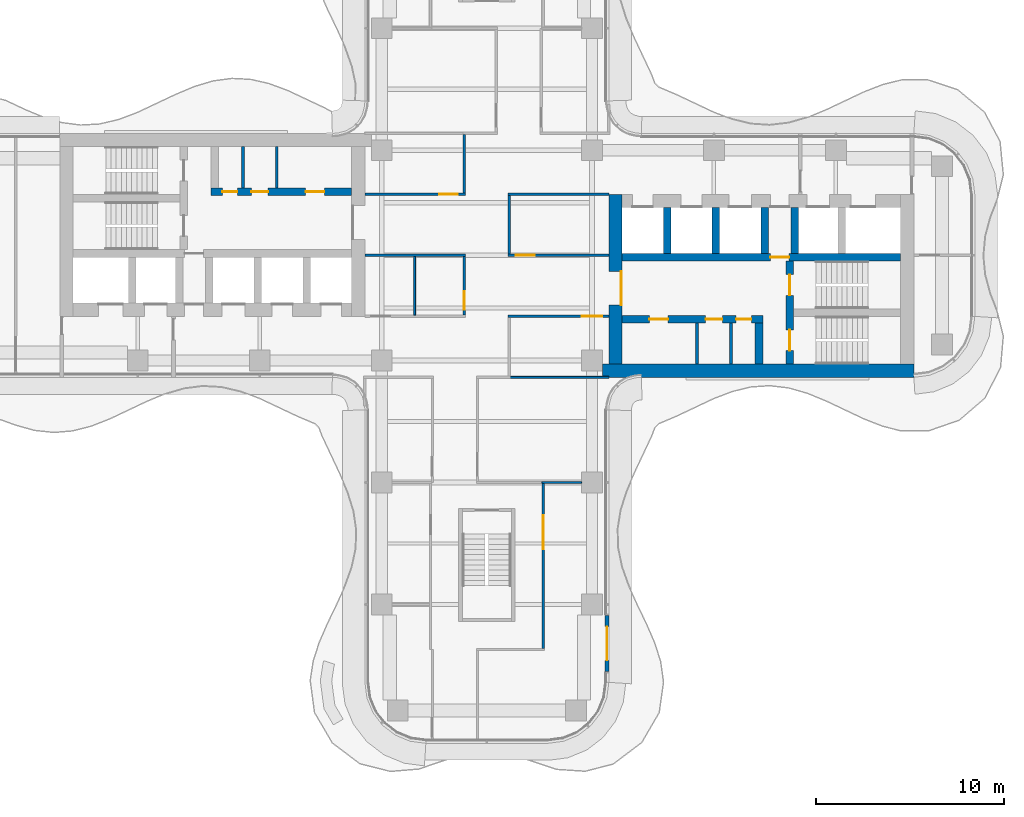
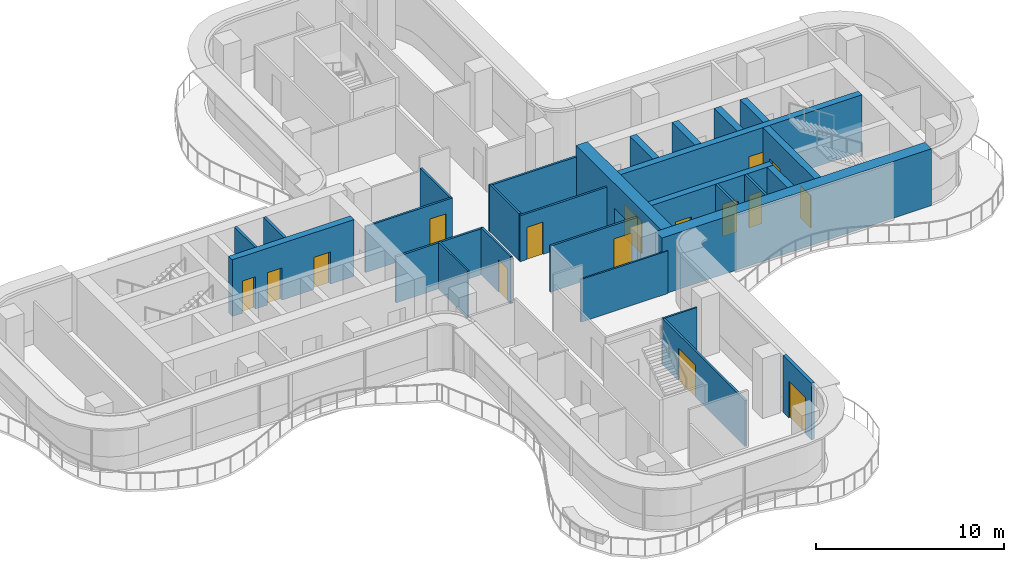
# One storey, part 13 of 17: 28 walls, 16 doors, 16 openings.
"""IFC4 building model written with IfcOpenShell, lengths in metres."""

from ifc_helpers import new_model, si_unit, direction, frame, frame_2d, origin, place, context, subcontext, project, spatial, rectangle, extrude, source, transform, mapped, material, layer, layer_set, type_object, element, fill, save


model = new_model("IFC4")

# Units and contexts
model_context = context("Model", 3, precision=1e-05, world=origin(), true_north=direction((0.0, 1.0)))
body_context = subcontext(model_context, "Body", "Model", "MODEL_VIEW")
ifc_project = project(units=[si_unit("LENGTHUNIT", "METRE"), si_unit("AREAUNIT", "SQUARE_METRE"), si_unit("VOLUMEUNIT", "CUBIC_METRE"), si_unit("PLANEANGLEUNIT", "RADIAN"), si_unit("MASSUNIT", "GRAM", prefix="KILO")], contexts=[model_context])

# Site, building, storey
site_placement = place(None, origin())
site = spatial("IfcSite", under=ifc_project, at=site_placement, CompositionType="ELEMENT")
building_placement = place(site_placement, origin())
building = spatial("IfcBuilding", under=site, at=building_placement, Name="Trellis Farm Tower", CompositionType="ELEMENT")
storey_placement = place(building_placement, frame((0.0, 0.0, 236.300048828125)))
storey = spatial("IfcBuildingStorey", under=building, at=storey_placement, Name="L52", CompositionType="ELEMENT", Elevation=236.300048828125)

# Wall, opening, door
ifc_material_1 = material(Name="Plasterboard on steel studs, mineral wool", Category="steel")
ifc_layer_1 = layer(ifc_material_1, 0.125)
ifc_layer_set_1 = layer_set([ifc_layer_1], Name="PARTITION 125 STUD EI 60")
wall_type_1 = type_object("IfcWallType", Name="PARTITION 125 STUD EI 60", PredefinedType="PARTITIONING", material=ifc_layer_set_1)
wall_1_placement = place(storey_placement, frame((3.0, -12.14990234375, 0.0), z_axis=(0.0, 0.0, 1.0), x_axis=(0.0, -1.0, 0.0)))
wall_1 = element("IfcWall", 1, at=wall_1_placement, inside=storey, type_object=wall_type_1, Name="Partition PW1", PredefinedType="PARTITIONING", context=body_context, shape_type="SweptSolid", body=[
    extrude(rectangle(XDim=8.78759765625, YDim=0.125, at=frame_2d((4.393798828125, 0.0))), origin(), (0.0, 0.0, 1.0), 2.996337890625),
])
shared_shape_1 = source(origin(), body_context, "Body", "SweptSolid", [
    extrude(rectangle(XDim=1.800048828125, YDim=2.10009765625, at=frame_2d((0.89990234375, 1.050048828125))), frame((0.0, 0.072509765625, 0.0), z_axis=(0.0, -1.0, 0.0), x_axis=(1.0, 0.0, 0.0)), (0.0, 0.0, 1.0), 0.14501953125),
])
opening_1_placement = place(wall_1_placement, frame((1.699951171875, 0.0, 0.0)))
opening_1 = element("IfcOpeningElement", 2, at=opening_1_placement, cuts=wall_1, Name="Opening D201", PredefinedType="OPENING", context=body_context, shape_type="MappedRepresentation", body=[
    mapped(shared_shape_1, transform((0.0, 0.0, 0.0))),
])
ifc_material_2 = material(Name="Fire-rated timber door leaf in a hollow metal frame", Category="wood")
door_type_1 = type_object("IfcDoorType", Name="DOOR PAIR 1800x2100 FD30S", OperationType="NOTDEFINED", PredefinedType="DOOR", material=ifc_material_2)
shared_shape_2 = source(origin(), body_context, "Body", "SweptSolid", [
    extrude(rectangle(XDim=1.800048828125, YDim=2.10009765625, at=frame_2d((0.89990234375, 1.050048828125))), frame((0.0, 0.02490234375, 0.0), z_axis=(0.0, -1.0, 0.0), x_axis=(1.0, 0.0, 0.0)), (0.0, 0.0, 1.0), 0.050048828125),
])
door_1_placement = place(opening_1_placement, origin())
door_1 = element("IfcDoor", 3, at=door_1_placement, inside=storey, type_object=door_type_1, Name="Door D201", OperationType="DOUBLE_DOOR_SINGLE_SWING", OverallHeight=2.10009765625, OverallWidth=1.800048828125, PredefinedType="DOOR", context=body_context, shape_type="MappedRepresentation", body=[
    mapped(shared_shape_2, transform((0.0, 0.0, 0.0))),
])
fill(opening_1, door_1)

ifc_material_3 = material(Name="Concrete C60/75", Category="concrete")
ifc_layer_2 = layer(ifc_material_3, 0.699951171875)
ifc_layer_set_2 = layer_set([ifc_layer_2], Name="CORE OUTER WALL 700 CONCRETE C60/75")
wall_type_2 = type_object("IfcWallType", Name="CORE OUTER WALL 700 CONCRETE C60/75", PredefinedType="SHEAR", material=ifc_layer_set_2)
shared_shape_3 = source(origin(), body_context, "Body", "SweptSolid", [
    extrude(rectangle(XDim=9.050048828125, YDim=0.699951171875, at=frame_2d((4.52490234375, 0.0))), origin(), (0.0, 0.0, 1.0), 3.699951171875),
])
wall_2_placement = place(storey_placement, frame((6.85009765625, -5.800048828125, 0.0), z_axis=(0.0, 0.0, 1.0), x_axis=(0.0, 1.0, 0.0)))
wall_2 = element("IfcWall", 4, at=wall_2_placement, inside=storey, type_object=wall_type_2, Name="Core wall", PredefinedType="SHEAR", context=body_context, shape_type="MappedRepresentation", body=[
    mapped(shared_shape_3, transform((0.0, 0.0, 0.0))),
])
shared_shape_4 = source(origin(), body_context, "Body", "SweptSolid", [
    extrude(rectangle(XDim=1.800048828125, YDim=2.10009765625, at=frame_2d((0.89990234375, 1.050048828125))), frame((0.0, 0.360107421875, 0.0), z_axis=(0.0, -1.0, 0.0), x_axis=(1.0, 0.0, 0.0)), (0.0, 0.0, 1.0), 0.72021484375),
])
opening_2_placement = place(wall_2_placement, frame((3.14990234375, 0.0, 0.0)))
opening_2 = element("IfcOpeningElement", 5, at=opening_2_placement, cuts=wall_2, Name="Opening DC1", PredefinedType="OPENING", context=body_context, shape_type="MappedRepresentation", body=[
    mapped(shared_shape_4, transform((0.0, 0.0, 0.0))),
])
ifc_material_4 = material(Name="Steel", Category="steel")
door_type_2 = type_object("IfcDoorType", Name="CORE FIRE DOOR DOUBLE 1800 X 2100", OperationType="DOUBLE_DOOR_SINGLE_SWING", PredefinedType="DOOR", material=ifc_material_4)
shared_shape_5 = source(origin(), body_context, "Body", "SweptSolid", [
    extrude(rectangle(XDim=1.800048828125, YDim=2.10009765625, at=frame_2d((0.89990234375, 1.050048828125))), frame((0.0, -0.27490234375, 0.0), z_axis=(0.0, -1.0, 0.0), x_axis=(1.0, 0.0, 0.0)), (0.0, 0.0, 1.0), 0.050048828125),
])
door_2_placement = place(opening_2_placement, origin())
door_2 = element("IfcDoor", 6, at=door_2_placement, inside=storey, type_object=door_type_2, Name="Core door", OperationType="DOUBLE_DOOR_SINGLE_SWING", OverallHeight=2.10009765625, OverallWidth=1.800048828125, PredefinedType="DOOR", context=body_context, shape_type="MappedRepresentation", body=[
    mapped(shared_shape_5, transform((0.0, 0.0, 0.0))),
])
fill(opening_2, door_2)

# Walls
ifc_layer_3 = layer(ifc_material_3, 0.39990234375)
ifc_layer_set_3 = layer_set([ifc_layer_3], Name="CORE INNER WALL 400 CONCRETE C60/75")
wall_type_3 = type_object("IfcWallType", Name="CORE INNER WALL 400 CONCRETE C60/75", PredefinedType="SHEAR", material=ifc_layer_set_3)
shared_shape_6 = source(origin(), body_context, "Body", "SweptSolid", [
    extrude(rectangle(XDim=2.449951171875, YDim=0.39990234375, at=frame_2d((1.22509765625, 0.0))), origin(), (0.0, 0.0, 1.0), 3.699951171875),
])
for number, where, z_axis, x_axis, name in (
    (7, (9.60009765625, 0.10009765625, 0.0), (0.0, 0.0, 1.0), (0.0, 1.0, 0.0), "Core wall"),
    (8, (12.199951171875, 0.10009765625, 0.0), (0.0, 0.0, 1.0), (0.0, 1.0, 0.0), "Core wall"),
    (9, (14.800048828125, 0.10009765625, 0.0), (0.0, 0.0, 1.0), (0.0, 1.0, 0.0), "Core wall"),
    (10, (16.39990234375, 0.10009765625, 0.0), (0.0, 0.0, 1.0), (0.0, 1.0, 0.0), "Core wall"),
):
    element("IfcWall", number, at=place(storey_placement, frame(where, z_axis=z_axis, x_axis=x_axis)), inside=storey, type_object=wall_type_3, Name=name, PredefinedType="SHEAR", context=body_context, shape_type="MappedRepresentation", body=[
        mapped(shared_shape_6, transform((0.0, 0.0, 0.0))),
    ])

# Wall, openings, doors
shared_shape_7 = source(origin(), body_context, "Body", "SweptSolid", [
    extrude(rectangle(XDim=7.5, YDim=0.39990234375, at=frame_2d((3.75, 0.0))), origin(), (0.0, 0.0, 1.0), 3.699951171875),
])
wall_3_placement = place(storey_placement, frame((7.199951171875, -3.39990234375, 0.0), z_axis=(0.0, 0.0, 1.0), x_axis=(1.0, 0.0, 0.0)))
wall_3 = element("IfcWall", 11, at=wall_3_placement, inside=storey, type_object=wall_type_3, Name="Core wall", PredefinedType="SHEAR", context=body_context, shape_type="MappedRepresentation", body=[
    mapped(shared_shape_7, transform((0.0, 0.0, 0.0))),
])
shared_shape_8 = source(origin(), body_context, "Body", "SweptSolid", [
    extrude(rectangle(XDim=1.0, YDim=2.10009765625, at=frame_2d((0.5, 1.050048828125))), frame((0.0, 0.2099609375, 0.0), z_axis=(0.0, -1.0, 0.0), x_axis=(1.0, 0.0, 0.0)), (0.0, 0.0, 1.0), 0.419921875),
])
opening_3_placement = place(wall_3_placement, frame((1.46240234375, 0.0, 0.0)))
opening_3 = element("IfcOpeningElement", 12, at=opening_3_placement, cuts=wall_3, Name="Opening DC55", PredefinedType="OPENING", context=body_context, shape_type="MappedRepresentation", body=[
    mapped(shared_shape_8, transform((0.0, 0.0, 0.0))),
])
shared_shape_9 = source(origin(), body_context, "Body", "SweptSolid", [
    extrude(rectangle(XDim=0.89990234375, YDim=2.10009765625, at=frame_2d((0.449951171875, 1.050048828125))), frame((0.0, 0.2099609375, 0.0), z_axis=(0.0, -1.0, 0.0), x_axis=(1.0, 0.0, 0.0)), (0.0, 0.0, 1.0), 0.419921875),
])
opening_4_placement = place(wall_3_placement, frame((4.449951171875, 0.0, 0.0)))
opening_4 = element("IfcOpeningElement", 13, at=opening_4_placement, cuts=wall_3, Name="Opening DC60", PredefinedType="OPENING", context=body_context, shape_type="MappedRepresentation", body=[
    mapped(shared_shape_9, transform((0.0, 0.0, 0.0))),
])
shared_shape_10 = source(origin(), body_context, "Body", "SweptSolid", [
    extrude(rectangle(XDim=0.800048828125, YDim=2.10009765625, at=frame_2d((0.39990234375, 1.050048828125))), frame((0.0, 0.2099609375, 0.0), z_axis=(0.0, -1.0, 0.0), x_axis=(1.0, 0.0, 0.0)), (0.0, 0.0, 1.0), 0.419921875),
])
opening_5_placement = place(wall_3_placement, frame((6.08740234375, 0.0, 0.0)))
opening_5 = element("IfcOpeningElement", 14, at=opening_5_placement, cuts=wall_3, Name="Opening DC63", PredefinedType="OPENING", context=body_context, shape_type="MappedRepresentation", body=[
    mapped(shared_shape_10, transform((0.0, 0.0, 0.0))),
])
door_type_3 = type_object("IfcDoorType", Name="CORE FIRE DOOR 1000 X 2100", OperationType="NOTDEFINED", PredefinedType="DOOR", material=ifc_material_4)
shared_shape_11 = source(origin(), body_context, "Body", "SweptSolid", [
    extrude(rectangle(XDim=1.0, YDim=2.10009765625, at=frame_2d((0.5, 1.050048828125))), frame((0.0, 0.02490234375, 0.0), z_axis=(0.0, -1.0, 0.0), x_axis=(1.0, 0.0, 0.0)), (0.0, 0.0, 1.0), 0.050048828125),
])
door_3_placement = place(opening_3_placement, origin())
door_3 = element("IfcDoor", 15, at=door_3_placement, inside=storey, type_object=door_type_3, Name="Core door", OperationType="SINGLE_SWING_LEFT", OverallHeight=2.10009765625, OverallWidth=1.0, PredefinedType="DOOR", context=body_context, shape_type="MappedRepresentation", body=[
    mapped(shared_shape_11, transform((0.0, 0.0, 0.0))),
])
fill(opening_3, door_3)
door_type_4 = type_object("IfcDoorType", Name="CORE FIRE DOOR 900 X 2100", OperationType="NOTDEFINED", PredefinedType="DOOR", material=ifc_material_4)
shared_shape_12 = source(origin(), body_context, "Body", "SweptSolid", [
    extrude(rectangle(XDim=0.89990234375, YDim=2.10009765625, at=frame_2d((0.449951171875, 1.050048828125))), frame((0.0, 0.02490234375, 0.0), z_axis=(0.0, -1.0, 0.0), x_axis=(1.0, 0.0, 0.0)), (0.0, 0.0, 1.0), 0.050048828125),
])
door_4_placement = place(opening_4_placement, origin())
door_4 = element("IfcDoor", 16, at=door_4_placement, inside=storey, type_object=door_type_4, Name="Core door", OperationType="SINGLE_SWING_RIGHT", OverallHeight=2.10009765625, OverallWidth=0.89990234375, PredefinedType="DOOR", context=body_context, shape_type="MappedRepresentation", body=[
    mapped(shared_shape_12, transform((0.0, 0.0, 0.0))),
])
fill(opening_4, door_4)
door_type_5 = type_object("IfcDoorType", Name="CORE FIRE DOOR 800 X 2100", OperationType="NOTDEFINED", PredefinedType="DOOR", material=ifc_material_4)
shared_shape_13 = source(origin(), body_context, "Body", "SweptSolid", [
    extrude(rectangle(XDim=0.800048828125, YDim=2.10009765625, at=frame_2d((0.39990234375, 1.050048828125))), frame((0.0, 0.02490234375, 0.0), z_axis=(0.0, -1.0, 0.0), x_axis=(1.0, 0.0, 0.0)), (0.0, 0.0, 1.0), 0.050048828125),
])
door_5_placement = place(opening_5_placement, origin())
door_5 = element("IfcDoor", 17, at=door_5_placement, inside=storey, type_object=door_type_5, Name="Core door", OperationType="SINGLE_SWING_LEFT", OverallHeight=2.10009765625, OverallWidth=0.800048828125, PredefinedType="DOOR", context=body_context, shape_type="MappedRepresentation", body=[
    mapped(shared_shape_13, transform((0.0, 0.0, 0.0))),
])
fill(opening_5, door_5)

wall_4_placement = place(storey_placement, frame((-7.199951171875, 3.39990234375, 0.0), z_axis=(0.0, 0.0, 1.0), x_axis=(-1.0, 0.0, 0.0)))
wall_4 = element("IfcWall", 18, at=wall_4_placement, inside=storey, type_object=wall_type_3, Name="Core wall", PredefinedType="SHEAR", context=body_context, shape_type="MappedRepresentation", body=[
    mapped(shared_shape_7, transform((0.0, 0.0, 0.0))),
])
opening_6_placement = place(wall_4_placement, frame((1.46240234375, 0.0, 0.0)))
opening_6 = element("IfcOpeningElement", 19, at=opening_6_placement, cuts=wall_4, Name="Opening DC141", PredefinedType="OPENING", context=body_context, shape_type="MappedRepresentation", body=[
    mapped(shared_shape_8, transform((0.0, 0.0, 0.0))),
])
opening_7_placement = place(wall_4_placement, frame((4.449951171875, 0.0, 0.0)))
opening_7 = element("IfcOpeningElement", 20, at=opening_7_placement, cuts=wall_4, Name="Opening DC146", PredefinedType="OPENING", context=body_context, shape_type="MappedRepresentation", body=[
    mapped(shared_shape_9, transform((0.0, 0.0, 0.0))),
])
opening_8_placement = place(wall_4_placement, frame((6.08740234375, 0.0, 0.0)))
opening_8 = element("IfcOpeningElement", 21, at=opening_8_placement, cuts=wall_4, Name="Opening DC149", PredefinedType="OPENING", context=body_context, shape_type="MappedRepresentation", body=[
    mapped(shared_shape_10, transform((0.0, 0.0, 0.0))),
])
door_6_placement = place(opening_6_placement, origin())
door_6 = element("IfcDoor", 22, at=door_6_placement, inside=storey, type_object=door_type_3, Name="Core door", OperationType="SINGLE_SWING_LEFT", OverallHeight=2.10009765625, OverallWidth=1.0, PredefinedType="DOOR", context=body_context, shape_type="MappedRepresentation", body=[
    mapped(shared_shape_11, transform((0.0, 0.0, 0.0))),
])
fill(opening_6, door_6)
door_7_placement = place(opening_7_placement, origin())
door_7 = element("IfcDoor", 23, at=door_7_placement, inside=storey, type_object=door_type_4, Name="Core door", OperationType="SINGLE_SWING_RIGHT", OverallHeight=2.10009765625, OverallWidth=0.89990234375, PredefinedType="DOOR", context=body_context, shape_type="MappedRepresentation", body=[
    mapped(shared_shape_12, transform((0.0, 0.0, 0.0))),
])
fill(opening_7, door_7)
door_8_placement = place(opening_8_placement, origin())
door_8 = element("IfcDoor", 24, at=door_8_placement, inside=storey, type_object=door_type_5, Name="Core door", OperationType="SINGLE_SWING_LEFT", OverallHeight=2.10009765625, OverallWidth=0.800048828125, PredefinedType="DOOR", context=body_context, shape_type="MappedRepresentation", body=[
    mapped(shared_shape_13, transform((0.0, 0.0, 0.0))),
])
fill(opening_8, door_8)

# Wall, opening, door
shared_shape_14 = source(origin(), body_context, "Body", "SweptSolid", [
    extrude(rectangle(XDim=14.85009765625, YDim=0.39990234375, at=frame_2d((7.425048828125, 0.0))), origin(), (0.0, 0.0, 1.0), 3.699951171875),
])
wall_5_placement = place(storey_placement, frame((7.199951171875, -0.10009765625, 0.0), z_axis=(0.0, 0.0, 1.0), x_axis=(1.0, 0.0, 0.0)))
wall_5 = element("IfcWall", 25, at=wall_5_placement, inside=storey, type_object=wall_type_3, Name="Core wall", PredefinedType="SHEAR", context=body_context, shape_type="MappedRepresentation", body=[
    mapped(shared_shape_14, transform((0.0, 0.0, 0.0))),
])
opening_9_placement = place(wall_5_placement, frame((7.89990234375, 0.0, 0.0)))
opening_9 = element("IfcOpeningElement", 26, at=opening_9_placement, cuts=wall_5, Name="Opening DC5", PredefinedType="OPENING", context=body_context, shape_type="MappedRepresentation", body=[
    mapped(shared_shape_8, transform((0.0, 0.0, 0.0))),
])
door_9_placement = place(opening_9_placement, origin())
door_9 = element("IfcDoor", 27, at=door_9_placement, inside=storey, type_object=door_type_3, Name="Core door", OperationType="SINGLE_SWING_RIGHT", OverallHeight=2.10009765625, OverallWidth=1.0, PredefinedType="DOOR", context=body_context, shape_type="MappedRepresentation", body=[
    mapped(shared_shape_11, transform((0.0, 0.0, 0.0))),
])
fill(opening_9, door_9)

# Wall, openings, doors
shared_shape_15 = source(origin(), body_context, "Body", "SweptSolid", [
    extrude(rectangle(XDim=5.5, YDim=0.39990234375, at=frame_2d((2.75, 0.0))), origin(), (0.0, 0.0, 1.0), 3.699951171875),
])
wall_6_placement = place(storey_placement, frame((16.14990234375, -5.800048828125, 0.0), z_axis=(0.0, 0.0, 1.0), x_axis=(0.0, 1.0, 0.0)))
wall_6 = element("IfcWall", 28, at=wall_6_placement, inside=storey, type_object=wall_type_3, Name="Core wall", PredefinedType="SHEAR", context=body_context, shape_type="MappedRepresentation", body=[
    mapped(shared_shape_15, transform((0.0, 0.0, 0.0))),
])
shared_shape_16 = source(origin(), body_context, "Body", "SweptSolid", [
    extrude(rectangle(XDim=1.10009765625, YDim=2.10009765625, at=frame_2d((0.550048828125, 1.050048828125))), frame((0.0, 0.2099609375, 0.0), z_axis=(0.0, -1.0, 0.0), x_axis=(1.0, 0.0, 0.0)), (0.0, 0.0, 1.0), 0.419921875),
])
opening_10_placement = place(wall_6_placement, frame((0.72509765625, 0.0, 0.0)))
opening_10 = element("IfcOpeningElement", 29, at=opening_10_placement, cuts=wall_6, Name="Opening DC2", PredefinedType="OPENING", context=body_context, shape_type="MappedRepresentation", body=[
    mapped(shared_shape_16, transform((0.0, 0.0, 0.0))),
])
opening_11_placement = place(wall_6_placement, frame((3.675048828125, 0.0, 0.0)))
opening_11 = element("IfcOpeningElement", 30, at=opening_11_placement, cuts=wall_6, Name="Opening DC3", PredefinedType="OPENING", context=body_context, shape_type="MappedRepresentation", body=[
    mapped(shared_shape_16, transform((0.0, 0.0, 0.0))),
])
door_type_6 = type_object("IfcDoorType", Name="CORE FIRE DOOR 1100 X 2100", OperationType="NOTDEFINED", PredefinedType="DOOR", material=ifc_material_4)
shared_shape_17 = source(origin(), body_context, "Body", "SweptSolid", [
    extrude(rectangle(XDim=1.10009765625, YDim=2.10009765625, at=frame_2d((0.550048828125, 1.050048828125))), frame((0.0, 0.02490234375, 0.0), z_axis=(0.0, -1.0, 0.0), x_axis=(1.0, 0.0, 0.0)), (0.0, 0.0, 1.0), 0.050048828125),
])
door_10_placement = place(opening_10_placement, origin())
door_10 = element("IfcDoor", 31, at=door_10_placement, inside=storey, type_object=door_type_6, Name="Core door", OperationType="SINGLE_SWING_RIGHT", OverallHeight=2.10009765625, OverallWidth=1.10009765625, PredefinedType="DOOR", context=body_context, shape_type="MappedRepresentation", body=[
    mapped(shared_shape_17, transform((0.0, 0.0, 0.0))),
])
fill(opening_10, door_10)
door_11_placement = place(opening_11_placement, origin())
door_11 = element("IfcDoor", 32, at=door_11_placement, inside=storey, type_object=door_type_6, Name="Core door", OperationType="SINGLE_SWING_LEFT", OverallHeight=2.10009765625, OverallWidth=1.10009765625, PredefinedType="DOOR", context=body_context, shape_type="MappedRepresentation", body=[
    mapped(shared_shape_17, transform((0.0, 0.0, 0.0))),
])
fill(opening_11, door_11)

# Walls
shared_shape_18 = source(origin(), body_context, "Body", "SweptSolid", [
    extrude(rectangle(XDim=2.199951171875, YDim=0.39990234375, at=frame_2d((1.10009765625, 0.0))), origin(), (0.0, 0.0, 1.0), 3.699951171875),
])
wall_7_placement = place(storey_placement, frame((14.5, -5.800048828125, 0.0), z_axis=(0.0, 0.0, 1.0), x_axis=(0.0, 1.0, 0.0)))
element("IfcWall", 33, at=wall_7_placement, inside=storey, type_object=wall_type_3, Name="Core wall", PredefinedType="SHEAR", context=body_context, shape_type="MappedRepresentation", body=[
    mapped(shared_shape_18, transform((0.0, 0.0, 0.0))),
])
ifc_material_5 = material(Name="Masonry blockwork", Category="masonry")
ifc_layer_4 = layer(ifc_material_5, 0.14990234375)
ifc_layer_set_4 = layer_set([ifc_layer_4], Name="CORE PARTITION 150 BLOCKWORK")
wall_type_4 = type_object("IfcWallType", Name="CORE PARTITION 150 BLOCKWORK", PredefinedType="PARTITIONING", material=ifc_layer_set_4)
shared_shape_19 = source(origin(), body_context, "Body", "SweptSolid", [
    extrude(rectangle(XDim=2.199951171875, YDim=0.14990234375, at=frame_2d((1.10009765625, 0.0))), origin(), (0.0, 0.0, 1.0), 3.699951171875),
])
for number, where, z_axis, x_axis, name in (
    (34, (11.199951171875, -5.800048828125, 0.0), (0.0, 0.0, 1.0), (0.0, 1.0, 0.0), "Core room partition"),
    (35, (13.0, -5.800048828125, 0.0), (0.0, 0.0, 1.0), (0.0, 1.0, 0.0), "Core room partition"),
    (36, (-11.199951171875, 5.800048828125, 0.0), (0.0, 0.0, 1.0), (0.0, -1.0, 0.0), "Core room partition"),
    (37, (-13.0, 5.800048828125, 0.0), (0.0, 0.0, 1.0), (0.0, -1.0, 0.0), "Core room partition"),
):
    element("IfcWall", number, at=place(storey_placement, frame(where, z_axis=z_axis, x_axis=x_axis)), inside=storey, type_object=wall_type_4, Name=name, PredefinedType="PARTITIONING", context=body_context, shape_type="MappedRepresentation", body=[
        mapped(shared_shape_19, transform((0.0, 0.0, 0.0))),
    ])
shared_shape_20 = source(origin(), body_context, "Body", "SweptSolid", [
    extrude(rectangle(XDim=16.60009765625, YDim=0.699951171875, at=frame_2d((8.300048828125, 0.0))), origin(), (0.0, 0.0, 1.0), 3.699951171875),
])
wall_8_placement = place(storey_placement, frame((6.14990234375, -6.14990234375, 0.0), z_axis=(0.0, 0.0, 1.0), x_axis=(1.0, 0.0, 0.0)))
element("IfcWall", 38, at=wall_8_placement, inside=storey, type_object=wall_type_2, Name="Core wall", PredefinedType="SHEAR", context=body_context, shape_type="MappedRepresentation", body=[
    mapped(shared_shape_20, transform((0.0, 0.0, 0.0))),
])

# Wall, opening, door
ifc_material_6 = material(Name="Sandstone faced insulated wall", Category="masonry")
ifc_layer_5 = layer(ifc_material_6, 0.199951171875)
ifc_layer_set_5 = layer_set([ifc_layer_5], Name="EXTERNAL INFILL WALL 200")
wall_type_5 = type_object("IfcWallType", Name="EXTERNAL INFILL WALL 200", PredefinedType="SOLIDWALL", material=ifc_layer_set_5)
shared_shape_21 = source(origin(), body_context, "Body", "SweptSolid", [
    extrude(rectangle(XDim=3.0, YDim=0.199951171875, at=frame_2d((1.5, 0.0))), origin(), (0.0, 0.0, 1.0), 3.699951171875),
])
wall_9_placement = place(storey_placement, frame((6.39990234375, -22.175048828125, 0.0), z_axis=(0.0, 0.0, 1.0), x_axis=(0.0, 1.0, 0.0)))
wall_9 = element("IfcWall", 39, at=wall_9_placement, inside=storey, type_object=wall_type_5, Name="EW1 01", PredefinedType="SOLIDWALL", context=body_context, shape_type="MappedRepresentation", body=[
    mapped(shared_shape_21, transform((0.0, 0.0, 0.0))),
])
shared_shape_22 = source(origin(), body_context, "Body", "SweptSolid", [
    extrude(rectangle(XDim=1.800048828125, YDim=2.39990234375, at=frame_2d((0.89990234375, 1.199951171875))), frame((0.0, 0.110107421875, 0.0), z_axis=(0.0, -1.0, 0.0), x_axis=(1.0, 0.0, 0.0)), (0.0, 0.0, 1.0), 0.22021484375),
])
opening_12_placement = place(wall_9_placement, frame((0.60009765625, 0.0, 0.0)))
opening_12 = element("IfcOpeningElement", 40, at=opening_12_placement, cuts=wall_9, Name="Opening ED1", PredefinedType="OPENING", context=body_context, shape_type="MappedRepresentation", body=[
    mapped(shared_shape_22, transform((0.0, 0.0, 0.0))),
])
ifc_material_7 = material(Name="Aluminium framed glazed door", Category="aluminium")
door_type_7 = type_object("IfcDoorType", Name="BALCONY DOOR 1800x2400", OperationType="DOUBLE_DOOR_SINGLE_SWING", PredefinedType="DOOR", material=ifc_material_7)
shared_shape_23 = source(origin(), body_context, "Body", "SweptSolid", [
    extrude(rectangle(XDim=1.800048828125, YDim=2.39990234375, at=frame_2d((0.89990234375, 1.199951171875))), frame((0.0, 0.02490234375, 0.0), z_axis=(0.0, -1.0, 0.0), x_axis=(1.0, 0.0, 0.0)), (0.0, 0.0, 1.0), 0.050048828125),
])
door_12_placement = place(opening_12_placement, origin())
door_12 = element("IfcDoor", 41, at=door_12_placement, inside=storey, type_object=door_type_7, Name="Balcony door", OperationType="DOUBLE_DOOR_SINGLE_SWING", OverallHeight=2.39990234375, OverallWidth=1.800048828125, PredefinedType="DOOR", context=body_context, shape_type="MappedRepresentation", body=[
    mapped(shared_shape_23, transform((0.0, 0.0, 0.0))),
])
fill(opening_12, door_12)

shared_shape_24 = source(origin(), body_context, "Body", "SweptSolid", [
    extrude(rectangle(XDim=3.125, YDim=0.125, at=frame_2d((1.5625, 0.0))), origin(), (0.0, 0.0, 1.0), 3.06787109375),
])
wall_10_placement = place(storey_placement, frame((-1.199951171875, -0.0625, 0.0), z_axis=(0.0, 0.0, 1.0), x_axis=(0.0, -1.0, 0.0)))
wall_10 = element("IfcWall", 42, at=wall_10_placement, inside=storey, type_object=wall_type_1, Name="Partition PW1", PredefinedType="PARTITIONING", context=body_context, shape_type="MappedRepresentation", body=[
    mapped(shared_shape_24, transform((0.0, 0.0, 0.0))),
])
shared_shape_25 = source(origin(), body_context, "Body", "SweptSolid", [
    extrude(rectangle(XDim=1.0, YDim=2.10009765625, at=frame_2d((0.5, 1.050048828125))), frame((0.0, 0.072509765625, 0.0), z_axis=(0.0, -1.0, 0.0), x_axis=(1.0, 0.0, 0.0)), (0.0, 0.0, 1.0), 0.14501953125),
])
opening_13_placement = place(wall_10_placement, frame((1.83740234375, 0.0, 0.0)))
opening_13 = element("IfcOpeningElement", 43, at=opening_13_placement, cuts=wall_10, Name="Opening D105", PredefinedType="OPENING", context=body_context, shape_type="MappedRepresentation", body=[
    mapped(shared_shape_25, transform((0.0, 0.0, 0.0))),
])
door_type_8 = type_object("IfcDoorType", Name="DOOR 1000x2100 FD30S", OperationType="NOTDEFINED", PredefinedType="DOOR", material=ifc_material_2)
door_13_placement = place(opening_13_placement, origin())
door_13 = element("IfcDoor", 44, at=door_13_placement, inside=storey, type_object=door_type_8, Name="Door D105", OperationType="SINGLE_SWING_RIGHT", OverallHeight=2.10009765625, OverallWidth=1.0, PredefinedType="DOOR", context=body_context, shape_type="MappedRepresentation", body=[
    mapped(shared_shape_11, transform((0.0, 0.0, 0.0))),
])
fill(opening_13, door_13)

# Walls
wall_11_placement = place(storey_placement, frame((1.199951171875, 3.1875, 0.0), z_axis=(0.0, 0.0, 1.0), x_axis=(0.0, -1.0, 0.0)))
element("IfcWall", 45, at=wall_11_placement, inside=storey, type_object=wall_type_1, Name="Partition PW1", PredefinedType="PARTITIONING", context=body_context, shape_type="MappedRepresentation", body=[
    mapped(shared_shape_24, transform((0.0, 0.0, 0.0))),
])
ifc_material_8 = material(Name="Plasterboard on steel studs", Category="steel")
ifc_layer_6 = layer(ifc_material_8, 0.10009765625)
ifc_layer_set_6 = layer_set([ifc_layer_6], Name="PARTITION 100 STUD EI 30")
wall_type_6 = type_object("IfcWallType", Name="PARTITION 100 STUD EI 30", PredefinedType="PARTITIONING", material=ifc_layer_set_6)
shared_shape_26 = source(origin(), body_context, "Body", "SweptSolid", [
    extrude(rectangle(XDim=5.362548828125, YDim=0.10009765625, at=frame_2d((2.68115234375, 0.0))), origin(), (0.0, 0.0, 1.0), 2.780029296875),
])
wall_12_placement = place(storey_placement, frame((1.137451171875, -6.5, 0.0), z_axis=(0.0, 0.0, 1.0), x_axis=(1.0, 0.0, 0.0)))
element("IfcWall", 46, at=wall_12_placement, inside=storey, type_object=wall_type_6, Name="Partition PW2", PredefinedType="PARTITIONING", context=body_context, shape_type="MappedRepresentation", body=[
    mapped(shared_shape_26, transform((0.0, 0.0, 0.0))),
])
shared_shape_27 = source(origin(), body_context, "Body", "SweptSolid", [
    extrude(rectangle(XDim=3.137451171875, YDim=0.125, at=frame_2d((1.56884765625, 0.0))), origin(), (0.0, 0.0, 1.0), 2.996337890625),
])
wall_13_placement = place(storey_placement, frame((-1.199951171875, 6.449951171875, 0.0), z_axis=(0.0, 0.0, 1.0), x_axis=(0.0, -1.0, 0.0)))
element("IfcWall", 47, at=wall_13_placement, inside=storey, type_object=wall_type_1, Name="Partition PW1", PredefinedType="PARTITIONING", context=body_context, shape_type="MappedRepresentation", body=[
    mapped(shared_shape_27, transform((0.0, 0.0, 0.0))),
])

# Wall, opening, door
shared_shape_28 = source(origin(), body_context, "Body", "SweptSolid", [
    extrude(rectangle(XDim=5.362548828125, YDim=0.125, at=frame_2d((2.68115234375, 0.0))), origin(), (0.0, 0.0, 1.0), 2.996337890625),
])
wall_14_placement = place(storey_placement, frame((6.5, -3.25, 0.0), z_axis=(0.0, 0.0, 1.0), x_axis=(-1.0, 0.0, 0.0)))
wall_14 = element("IfcWall", 48, at=wall_14_placement, inside=storey, type_object=wall_type_1, Name="Partition PW1", PredefinedType="PARTITIONING", context=body_context, shape_type="MappedRepresentation", body=[
    mapped(shared_shape_28, transform((0.0, 0.0, 0.0))),
])
shared_shape_29 = source(origin(), body_context, "Body", "SweptSolid", [
    extrude(rectangle(XDim=1.10009765625, YDim=2.10009765625, at=frame_2d((0.550048828125, 1.050048828125))), frame((0.0, 0.072509765625, 0.0), z_axis=(0.0, -1.0, 0.0), x_axis=(1.0, 0.0, 0.0)), (0.0, 0.0, 1.0), 0.14501953125),
])
opening_14_placement = place(wall_14_placement, frame((0.35009765625, 0.0, 0.0)))
opening_14 = element("IfcOpeningElement", 49, at=opening_14_placement, cuts=wall_14, Name="Opening D501", PredefinedType="OPENING", context=body_context, shape_type="MappedRepresentation", body=[
    mapped(shared_shape_29, transform((0.0, 0.0, 0.0))),
])
door_type_9 = type_object("IfcDoorType", Name="DOOR 1100x2100 FD30S", OperationType="NOTDEFINED", PredefinedType="DOOR", material=ifc_material_2)
door_14_placement = place(opening_14_placement, origin())
door_14 = element("IfcDoor", 50, at=door_14_placement, inside=storey, type_object=door_type_9, Name="Door D501", OperationType="SINGLE_SWING_LEFT", OverallHeight=2.10009765625, OverallWidth=1.10009765625, PredefinedType="DOOR", context=body_context, shape_type="MappedRepresentation", body=[
    mapped(shared_shape_17, transform((0.0, 0.0, 0.0))),
])
fill(opening_14, door_14)

# Wall
wall_15_placement = place(storey_placement, frame((-1.137451171875, 0.0, 0.0), z_axis=(0.0, 0.0, 1.0), x_axis=(-1.0, 0.0, 0.0)))
element("IfcWall", 51, at=wall_15_placement, inside=storey, type_object=wall_type_1, Name="Partition PW1", PredefinedType="PARTITIONING", context=body_context, shape_type="MappedRepresentation", body=[
    mapped(shared_shape_28, transform((0.0, 0.0, 0.0))),
])

# Wall, opening, door
wall_16_placement = place(storey_placement, frame((6.5, 0.0, 0.0), z_axis=(0.0, 0.0, 1.0), x_axis=(-1.0, 0.0, 0.0)))
wall_16 = element("IfcWall", 52, at=wall_16_placement, inside=storey, type_object=wall_type_1, Name="Partition PW1", PredefinedType="PARTITIONING", context=body_context, shape_type="MappedRepresentation", body=[
    mapped(shared_shape_28, transform((0.0, 0.0, 0.0))),
])
opening_15_placement = place(wall_16_placement, frame((3.949951171875, 0.0, 0.0)))
opening_15 = element("IfcOpeningElement", 53, at=opening_15_placement, cuts=wall_16, Name="Opening D106", PredefinedType="OPENING", context=body_context, shape_type="MappedRepresentation", body=[
    mapped(shared_shape_25, transform((0.0, 0.0, 0.0))),
])
door_15_placement = place(opening_15_placement, origin())
door_15 = element("IfcDoor", 54, at=door_15_placement, inside=storey, type_object=door_type_8, Name="Door D106", OperationType="SINGLE_SWING_RIGHT", OverallHeight=2.10009765625, OverallWidth=1.0, PredefinedType="DOOR", context=body_context, shape_type="MappedRepresentation", body=[
    mapped(shared_shape_11, transform((0.0, 0.0, 0.0))),
])
fill(opening_15, door_15)

wall_17_placement = place(storey_placement, frame((-6.5, 3.25, 0.0), z_axis=(0.0, 0.0, 1.0), x_axis=(1.0, 0.0, 0.0)))
wall_17 = element("IfcWall", 55, at=wall_17_placement, inside=storey, type_object=wall_type_1, Name="Partition PW1", PredefinedType="PARTITIONING", context=body_context, shape_type="MappedRepresentation", body=[
    mapped(shared_shape_28, transform((0.0, 0.0, 0.0))),
])
opening_16_placement = place(wall_17_placement, frame((3.949951171875, 0.0, 0.0)))
opening_16 = element("IfcOpeningElement", 56, at=opening_16_placement, cuts=wall_17, Name="Opening D108", PredefinedType="OPENING", context=body_context, shape_type="MappedRepresentation", body=[
    mapped(shared_shape_25, transform((0.0, 0.0, 0.0))),
])
door_16_placement = place(opening_16_placement, origin())
door_16 = element("IfcDoor", 57, at=door_16_placement, inside=storey, type_object=door_type_8, Name="Door D108", OperationType="SINGLE_SWING_RIGHT", OverallHeight=2.10009765625, OverallWidth=1.0, PredefinedType="DOOR", context=body_context, shape_type="MappedRepresentation", body=[
    mapped(shared_shape_11, transform((0.0, 0.0, 0.0))),
])
fill(opening_16, door_16)

# Walls
wall_18_placement = place(storey_placement, frame((1.137451171875, 3.25, 0.0), z_axis=(0.0, 0.0, 1.0), x_axis=(1.0, 0.0, 0.0)))
element("IfcWall", 58, at=wall_18_placement, inside=storey, type_object=wall_type_1, Name="Partition PW1", PredefinedType="PARTITIONING", context=body_context, shape_type="MappedRepresentation", body=[
    mapped(shared_shape_28, transform((0.0, 0.0, 0.0))),
])
shared_shape_30 = source(origin(), body_context, "Body", "SweptSolid", [
    extrude(rectangle(XDim=3.125, YDim=0.10009765625, at=frame_2d((1.5625, 0.0))), origin(), (0.0, 0.0, 1.0), 3.06787109375),
])
wall_19_placement = place(storey_placement, frame((-3.85009765625, -3.1875, 0.0), z_axis=(0.0, 0.0, 1.0), x_axis=(0.0, 1.0, 0.0)))
element("IfcWall", 59, at=wall_19_placement, inside=storey, type_object=wall_type_6, Name="Partition PW2", PredefinedType="PARTITIONING", context=body_context, shape_type="MappedRepresentation", body=[
    mapped(shared_shape_30, transform((0.0, 0.0, 0.0))),
])
shared_shape_31 = source(origin(), body_context, "Body", "SweptSolid", [
    extrude(rectangle(XDim=2.112548828125, YDim=0.10009765625, at=frame_2d((1.05615234375, 0.0))), origin(), (0.0, 0.0, 1.0), 2.996337890625),
])
wall_20_placement = place(storey_placement, frame((2.9375, -12.10009765625, 0.0), z_axis=(0.0, 0.0, 1.0), x_axis=(1.0, 0.0, 0.0)))
element("IfcWall", 60, at=wall_20_placement, inside=storey, type_object=wall_type_6, Name="Partition PW2", PredefinedType="PARTITIONING", context=body_context, shape_type="MappedRepresentation", body=[
    mapped(shared_shape_31, transform((0.0, 0.0, 0.0))),
])

save(model, "model.ifc")
